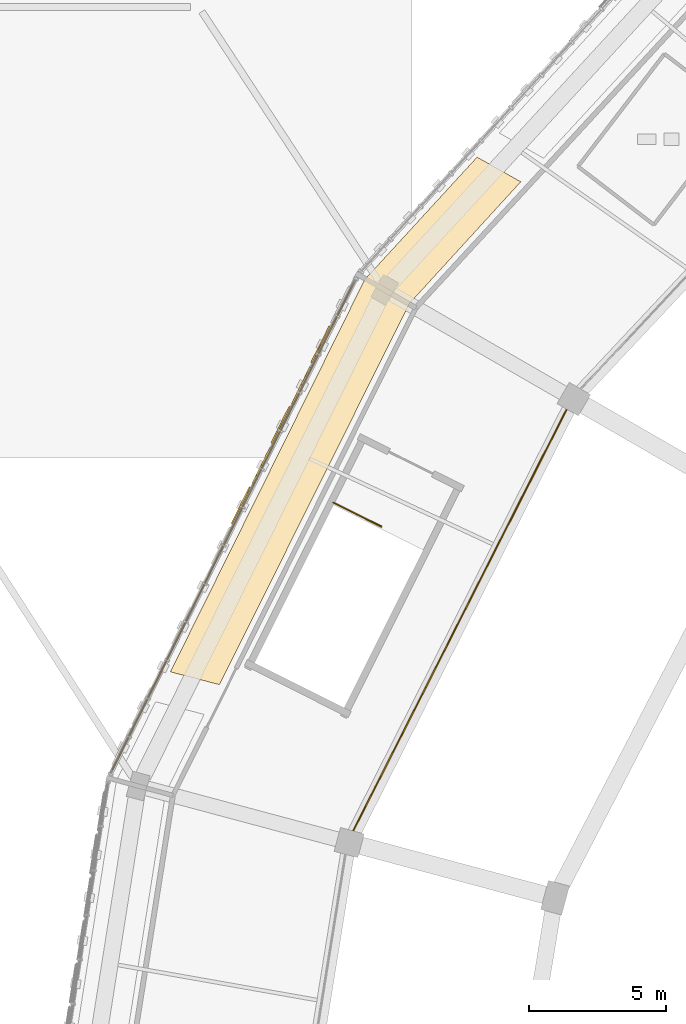
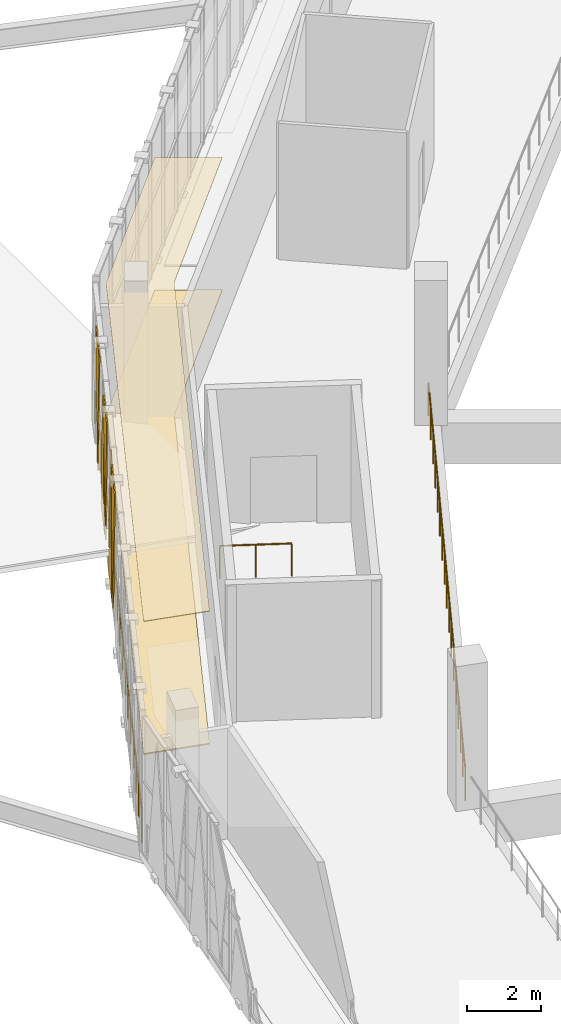
# One storey, part 90 of 108: 7 coverings, 3 railings.
"""IFC4 building model written with IfcOpenShell, lengths in metres."""

from ifc_helpers import new_model, si_unit, direction, frame, origin, origin_2d, place, context, subcontext, project, spatial, polyline, circle, outline, extrude, material, layer, layer_set, type_object, element, save


model = new_model("IFC4")

# Units and contexts
model_context = context("Model", 3, precision=1e-05, world=origin(), true_north=direction((0.0, 1.0)))
body_context = subcontext(model_context, "Body", "Model", "MODEL_VIEW")
ifc_project = project(units=[si_unit("LENGTHUNIT", "METRE"), si_unit("AREAUNIT", "SQUARE_METRE"), si_unit("VOLUMEUNIT", "CUBIC_METRE"), si_unit("PLANEANGLEUNIT", "RADIAN"), si_unit("MASSUNIT", "GRAM", prefix="KILO")], contexts=[model_context])

# Site, building, storey
site_placement = place(None, origin())
site = spatial("IfcSite", under=ifc_project, at=site_placement, CompositionType="ELEMENT")
building_placement = place(site_placement, origin())
building = spatial("IfcBuilding", under=site, at=building_placement, Name="Zevraka Park Crest Stadium", CompositionType="ELEMENT")
storey_placement = place(building_placement, frame((0.0, 0.0, 19.800048828125)))
storey = spatial("IfcBuildingStorey", under=building, at=storey_placement, Name="L04", CompositionType="ELEMENT", Elevation=19.800048828125)

# Coverings
ifc_material_1 = material(Name="Architectural golden-bronze perforated aluminium", Category="aluminium")
ifc_layer_1 = layer(ifc_material_1, 0.034912109375)
ifc_layer_set_1 = layer_set([ifc_layer_1], Name="Architectural golden-bronze perforated aluminium")
covering_type_1 = type_object("IfcCoveringType", Name="CLD01", PredefinedType="CLADDING", material=ifc_layer_set_1)
covering_1_placement = place(storey_placement, frame((31.137939453125, 126.97802734375, 4.52001953125), z_axis=(0.896168164395, -0.443714541009, 0.000164991326), x_axis=(0.443714547049, 0.896168176593, 0.0)))
element("IfcCovering", 1, at=covering_1_placement, inside=storey, type_object=covering_type_1, Name="Triangular Golden-Bronze Perforated Cladding L04-10-2", PredefinedType="CLADDING", context=body_context, shape_type="SweptSolid", body=[
    extrude(outline(polyline([(0.0, 0.0), (1.480642061984624, 1.3552527156068805e-20), (0.7402636662712996, -4.300048886653262), (0.0, 0.0)])), origin(), (0.0, 0.0, -1.0), 0.034912109375),
])
covering_2_placement = place(storey_placement, frame((31.06689453125, 126.833984375, -0.219970703125), z_axis=(-0.895775587692, 0.444506575001, 3.572371e-05), x_axis=(-0.444506575285, -0.895775588264, 0.0)))
element("IfcCovering", 2, at=covering_2_placement, inside=storey, type_object=covering_type_1, Name="Triangular Golden-Bronze Perforated Cladding L04-10-3", PredefinedType="CLADDING", context=body_context, shape_type="SweptSolid", body=[
    extrude(outline(polyline([(0.0, 0.0), (1.4802007910768735, 3.3881317890172014e-21), (0.7401554820878727, 4.579833987297354), (0.0, 0.0)])), origin(), (0.0, 0.0, -1.0), 0.034912109375),
])
covering_3_placement = place(storey_placement, frame((29.680908203125, 124.037109375, 4.52001953125), z_axis=(0.89616817301, -0.443714545275, 8.941399e-05), x_axis=(0.443714547049, 0.896168176593, 0.0)))
element("IfcCovering", 3, at=covering_3_placement, inside=storey, type_object=covering_type_1, Name="Triangular Golden-Bronze Perforated Cladding L04-10-4", PredefinedType="CLADDING", context=body_context, shape_type="SweptSolid", body=[
    extrude(outline(polyline([(0.0, 0.0), (1.480642061984624, 0.0), (0.7409200394475148, -4.300048845314149), (0.0, 0.0)])), origin(), (0.0, 0.0, -1.0), 0.034912109375),
])
covering_4_placement = place(storey_placement, frame((29.610107421875, 123.89404296875, -0.219970703125), z_axis=(-0.895872759196, 0.444310698821, 4.7370403e-05), x_axis=(-0.44431069932, -0.895872760201, 0.0)))
element("IfcCovering", 4, at=covering_4_placement, inside=storey, type_object=covering_type_1, Name="Triangular Golden-Bronze Perforated Cladding L04-10-5", PredefinedType="CLADDING", context=body_context, shape_type="SweptSolid", body=[
    extrude(outline(polyline([(0.0, 0.0), (1.481402824662643, 3.3881317890172014e-21), (0.7411388502025134, 4.579833989513471), (0.0, 0.0)])), origin(), (0.0, 0.0, -1.0), 0.034912109375),
])
covering_5_placement = place(storey_placement, frame((28.22412109375, 121.096923828125, 4.52001953125), z_axis=(0.896200625851, -0.443648985314, 0.000126701806), x_axis=(0.443648988875, 0.896200633045, 0.0)))
element("IfcCovering", 5, at=covering_5_placement, inside=storey, type_object=covering_type_1, Name="Triangular Golden-Bronze Perforated Cladding L04-10-6", PredefinedType="CLADDING", context=body_context, shape_type="SweptSolid", body=[
    extrude(outline(polyline([(0.0, 0.0), (1.4808608570056243, -1.3552527156068805e-20), (0.7401552996495949, -4.300048862640089), (0.0, 0.0)])), origin(), (0.0, 0.0, -1.0), 0.034912109375),
])
ifc_material_2 = material(Name="Perforated acoustic mineral-fibre suspended ceiling", Category="other")
ifc_layer_2 = layer(ifc_material_2, 0.02490234375)
ifc_layer_set_2 = layer_set([ifc_layer_2], Name="Perforated acoustic mineral-fibre suspended ceiling")
covering_type_2 = type_object("IfcCoveringType", Name="CLG01", PredefinedType="CEILING", material=ifc_layer_set_2)
covering_6_placement = place(storey_placement, frame((0.0, 0.0, 4.39990234375)))
element("IfcCovering", 6, at=covering_6_placement, inside=storey, type_object=covering_type_2, Name="Acoustic Ceiling Hospitality Suite L04-032", PredefinedType="CEILING", context=body_context, shape_type="SweptSolid", body=[
    extrude(outline(polyline([(25.958984375, 115.66796875), (33.072998046875, 130.028076171875), (37.18505859375, 134.508056640625), (38.785888671875, 133.60693359375), (34.72412109375, 129.1650390625), (34.712890625, 129.15087890625), (34.701904296875, 129.135009765625), (34.693115234375, 129.118896484375), (27.758056640625, 115.197998046875), (25.958984375, 115.66796875)])), origin(), (0.0, 0.0, 1.0), 0.025146484375),
])
ifc_material_3 = material(Name="Honed terrazzo and slip-resistant sports flooring", Category="other")
ifc_layer_3 = layer(ifc_material_3, 0.0400390625)
ifc_layer_set_3 = layer_set([ifc_layer_3], Name="Honed terrazzo and slip-resistant sports flooring")
covering_type_3 = type_object("IfcCoveringType", Name="FLR01", PredefinedType="FLOORING", material=ifc_layer_set_3)
covering_7_placement = place(storey_placement, origin())
element("IfcCovering", 7, at=covering_7_placement, inside=storey, type_object=covering_type_3, Name="Terrazzo Floor Finish Hospitality Suite L04-032", PredefinedType="FLOORING", context=body_context, shape_type="SweptSolid", body=[
    extrude(outline(polyline([(25.958984375, 115.66796875), (33.072998046875, 130.028076171875), (37.18505859375, 134.508056640625), (38.785888671875, 133.60693359375), (34.72412109375, 129.1650390625), (34.712890625, 129.15087890625), (34.701904296875, 129.135009765625), (34.693115234375, 129.118896484375), (27.758056640625, 115.197998046875), (25.958984375, 115.66796875)])), origin(), (0.0, 0.0, 1.0), 0.0400390625),
])

# Railings
ifc_material_4 = material(Name="Galvanised and bronze-finished steel balustrade", Category="steel")
railing_type_1 = type_object("IfcRailingType", Name="GR01", PredefinedType="GUARDRAIL", material=ifc_material_4)
railing_1_placement = place(storey_placement, frame((23.85009765625, 112.110107421875, 0.0)))
element("IfcRailing", 8, at=railing_1_placement, inside=storey, type_object=railing_type_1, Name="Deck Edge Protection Guardrail GR01 L04-2", PredefinedType="GUARDRAIL", context=body_context, shape_type="SweptSolid", body=[
    extrude(circle(Radius=0.02392578125, at=origin_2d()), frame((0.0, 0.0, 1.076171875), z_axis=(0.443921625422, 0.896065617287, 0.0), x_axis=(-0.896065617287, 0.443921625422, 0.0)), (0.0, 0.0, 1.0), 19.83447265625),
    extrude(circle(Radius=0.02099609375, at=origin_2d()), origin(), (0.0, 0.0, 1.0), 1.052001953125),
    extrude(circle(Radius=0.02099609375, at=origin_2d()), frame((0.517822265625, 1.04541015625, 0.0)), (0.0, 0.0, 1.0), 1.052001953125),
    extrude(circle(Radius=0.02099609375, at=origin_2d()), frame((1.035888671875, 2.0908203125, 0.0)), (0.0, 0.0, 1.0), 1.052001953125),
    extrude(circle(Radius=0.02099609375, at=origin_2d()), frame((1.5537109375, 3.136474609375, 0.0)), (0.0, 0.0, 1.0), 1.052001953125),
    extrude(circle(Radius=0.02099609375, at=origin_2d()), frame((2.07177734375, 4.181884765625, 0.0)), (0.0, 0.0, 1.0), 1.052001953125),
    extrude(circle(Radius=0.02099609375, at=origin_2d()), frame((2.589599609375, 5.227294921875, 0.0)), (0.0, 0.0, 1.0), 1.052001953125),
    extrude(circle(Radius=0.02099609375, at=origin_2d()), frame((3.107666015625, 6.272705078125, 0.0)), (0.0, 0.0, 1.0), 1.052001953125),
    extrude(circle(Radius=0.02099609375, at=origin_2d()), frame((3.62548828125, 7.318359375, 0.0)), (0.0, 0.0, 1.0), 1.052001953125),
    extrude(circle(Radius=0.02099609375, at=origin_2d()), frame((4.1435546875, 8.36376953125, 0.0)), (0.0, 0.0, 1.0), 1.052001953125),
    extrude(circle(Radius=0.02099609375, at=origin_2d()), frame((4.661376953125, 9.4091796875, 0.0)), (0.0, 0.0, 1.0), 1.052001953125),
    extrude(circle(Radius=0.02099609375, at=origin_2d()), frame((5.179443359375, 10.45458984375, 0.0)), (0.0, 0.0, 1.0), 1.052001953125),
    extrude(circle(Radius=0.02099609375, at=origin_2d()), frame((5.697265625, 11.500244140625, 0.0)), (0.0, 0.0, 1.0), 1.052001953125),
    extrude(circle(Radius=0.02099609375, at=origin_2d()), frame((6.21533203125, 12.545654296875, 0.0)), (0.0, 0.0, 1.0), 1.052001953125),
    extrude(circle(Radius=0.02099609375, at=origin_2d()), frame((6.733154296875, 13.591064453125, 0.0)), (0.0, 0.0, 1.0), 1.052001953125),
    extrude(circle(Radius=0.02099609375, at=origin_2d()), frame((7.251220703125, 14.636474609375, 0.0)), (0.0, 0.0, 1.0), 1.052001953125),
    extrude(circle(Radius=0.02099609375, at=origin_2d()), frame((7.76904296875, 15.68212890625, 0.0)), (0.0, 0.0, 1.0), 1.052001953125),
    extrude(circle(Radius=0.02099609375, at=origin_2d()), frame((8.287109375, 16.7275390625, 0.0)), (0.0, 0.0, 1.0), 1.052001953125),
    extrude(circle(Radius=0.02099609375, at=origin_2d()), frame((8.804931640625, 17.77294921875, 0.0)), (0.0, 0.0, 1.0), 1.052001953125),
])
railing_2_placement = place(storey_placement, frame((40.675048828125, 125.697021484375, 0.0)))
element("IfcRailing", 9, at=railing_2_placement, inside=storey, type_object=railing_type_1, Name="Deck Edge Protection Guardrail GR01 L04-49", PredefinedType="GUARDRAIL", context=body_context, shape_type="SweptSolid", body=[
    extrude(circle(Radius=0.02392578125, at=origin_2d()), frame((0.0, 0.0, 1.076171875), z_axis=(-0.451877431066, -0.89208003413, 0.0), x_axis=(0.89208003413, -0.451877431066, 0.0)), (0.0, 0.0, 1.0), 18.235107421875),
    extrude(circle(Radius=0.02099609375, at=origin_2d()), origin(), (0.0, 0.0, 1.0), 1.052001953125),
    extrude(circle(Radius=0.02099609375, at=origin_2d()), frame((-0.514892578125, -1.0166015625, 0.0)), (0.0, 0.0, 1.0), 1.052001953125),
    extrude(circle(Radius=0.02099609375, at=origin_2d()), frame((-1.030029296875, -2.033447265625, 0.0)), (0.0, 0.0, 1.0), 1.052001953125),
    extrude(circle(Radius=0.02099609375, at=origin_2d()), frame((-1.544921875, -3.050048828125, 0.0)), (0.0, 0.0, 1.0), 1.052001953125),
    extrude(circle(Radius=0.02099609375, at=origin_2d()), frame((-2.06005859375, -4.06689453125, 0.0)), (0.0, 0.0, 1.0), 1.052001953125),
    extrude(circle(Radius=0.02099609375, at=origin_2d()), frame((-2.574951171875, -5.08349609375, 0.0)), (0.0, 0.0, 1.0), 1.052001953125),
    extrude(circle(Radius=0.02099609375, at=origin_2d()), frame((-3.090087890625, -6.10009765625, 0.0)), (0.0, 0.0, 1.0), 1.052001953125),
    extrude(circle(Radius=0.02099609375, at=origin_2d()), frame((-3.60498046875, -7.116943359375, 0.0)), (0.0, 0.0, 1.0), 1.052001953125),
    extrude(circle(Radius=0.02099609375, at=origin_2d()), frame((-4.1201171875, -8.133544921875, 0.0)), (0.0, 0.0, 1.0), 1.052001953125),
    extrude(circle(Radius=0.02099609375, at=origin_2d()), frame((-4.635009765625, -9.150146484375, 0.0)), (0.0, 0.0, 1.0), 1.052001953125),
    extrude(circle(Radius=0.02099609375, at=origin_2d()), frame((-5.14990234375, -10.1669921875, 0.0)), (0.0, 0.0, 1.0), 1.052001953125),
    extrude(circle(Radius=0.02099609375, at=origin_2d()), frame((-5.6650390625, -11.18359375, 0.0)), (0.0, 0.0, 1.0), 1.052001953125),
    extrude(circle(Radius=0.02099609375, at=origin_2d()), frame((-6.179931640625, -12.2001953125, 0.0)), (0.0, 0.0, 1.0), 1.052001953125),
    extrude(circle(Radius=0.02099609375, at=origin_2d()), frame((-6.695068359375, -13.217041015625, 0.0)), (0.0, 0.0, 1.0), 1.052001953125),
    extrude(circle(Radius=0.02099609375, at=origin_2d()), frame((-7.2099609375, -14.233642578125, 0.0)), (0.0, 0.0, 1.0), 1.052001953125),
    extrude(circle(Radius=0.02099609375, at=origin_2d()), frame((-7.72509765625, -15.25048828125, 0.0)), (0.0, 0.0, 1.0), 1.052001953125),
    extrude(circle(Radius=0.02099609375, at=origin_2d()), frame((-8.239990234375, -16.26708984375, 0.0)), (0.0, 0.0, 1.0), 1.052001953125),
])
ifc_material_5 = material(Name="Powder-coated tubular steel stairwell guard", Category="steel")
railing_type_2 = type_object("IfcRailingType", Name="GR03", PredefinedType="GUARDRAIL", material=ifc_material_5)
railing_3_placement = place(storey_placement, frame((31.925537109375, 121.863525390625, 0.0)))
element("IfcRailing", 10, at=railing_3_placement, inside=storey, type_object=railing_type_2, Name="L04 ST11 top well guard 1", PredefinedType="GUARDRAIL", context=body_context, shape_type="SweptSolid", body=[
    extrude(circle(Radius=0.02392578125, at=origin_2d()), frame((0.0, 0.0, 1.076171875), z_axis=(0.89407815629, -0.447910984957, 0.0), x_axis=(0.447910984957, 0.89407815629, 0.0)), (0.0, 0.0, 1.0), 1.9599609375),
    extrude(circle(Radius=0.02099609375, at=origin_2d()), origin(), (0.0, 0.0, 1.0), 1.052001953125),
    extrude(circle(Radius=0.02099609375, at=origin_2d()), frame((0.876220703125, -0.43896484375, 0.0)), (0.0, 0.0, 1.0), 1.052001953125),
    extrude(circle(Radius=0.02099609375, at=origin_2d()), frame((1.75244140625, -0.8779296875, 0.0)), (0.0, 0.0, 1.0), 1.052001953125),
])

save(model, "model.ifc")
